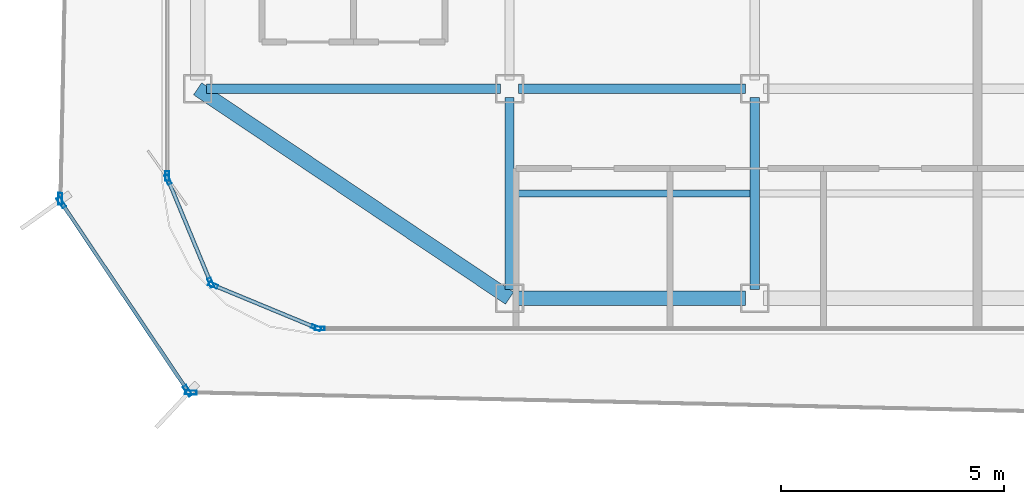
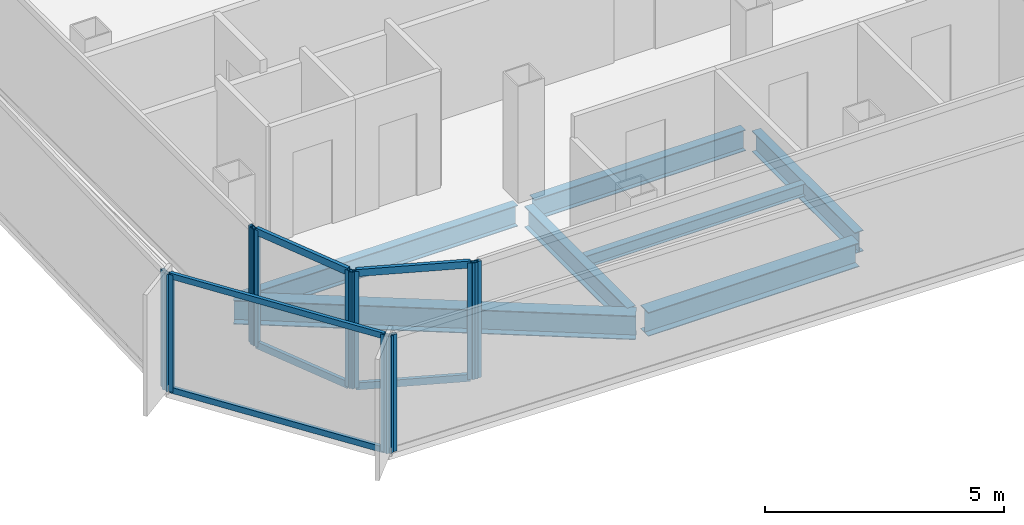
# One storey, part 2 of 15: 16 members, 7 beams, 7 elements without a shape of their own.
"""IFC4 building model written with IfcOpenShell, lengths in metres."""

from ifc_helpers import new_model, si_unit, direction, frame, origin, origin_2d, place, context, subcontext, project, spatial, hollow_rectangle, i_section, extrude, source, transform, mapped, material, layer, layer_set, material_profile, profile_set, type_object, element, aggregate, save


model = new_model("IFC4")

# Units and contexts
model_context = context("Model", 3, precision=1e-05, world=origin(), true_north=direction((0.0, 1.0)))
body_context = subcontext(model_context, "Body", "Model", "MODEL_VIEW")
ifc_project = project(units=[si_unit("LENGTHUNIT", "METRE"), si_unit("AREAUNIT", "SQUARE_METRE"), si_unit("VOLUMEUNIT", "CUBIC_METRE"), si_unit("PLANEANGLEUNIT", "RADIAN"), si_unit("MASSUNIT", "GRAM", prefix="KILO")], contexts=[model_context])

# Site, building, storey
site_placement = place(None, origin())
site = spatial("IfcSite", under=ifc_project, at=site_placement, CompositionType="ELEMENT")
building_placement = place(site_placement, origin())
building = spatial("IfcBuilding", under=site, at=building_placement, Name="Kolveth Station Tower", CompositionType="ELEMENT")
storey_placement = place(building_placement, frame((0.0, 0.0, 239.300048828125)))
storey = spatial("IfcBuildingStorey", under=building, at=storey_placement, Name="L68", CompositionType="ELEMENT", Elevation=239.300048828125)

# Beams
ifc_material_1 = material(Name="Steel S355", Category="steel")
ifc_material_profile_1 = material_profile(ifc_material_1, i_section(OverallWidth=0.323974609375, OverallDepth=0.611083984375, WebThickness=0.0126953125, FlangeThickness=0.01904296875, at=origin_2d()), Name="W610x155")
ifc_profile_set_1 = profile_set([ifc_material_profile_1], Name="Steel S355")
beam_type_1 = type_object("IfcBeamType", Name="Beam_SP2", PredefinedType="SPANDREL", material=ifc_profile_set_1)
shared_shape_1 = source(origin(), body_context, "Body", "SweptSolid", [
    extrude(i_section(OverallWidth=0.323974609375, OverallDepth=0.611083984375, WebThickness=0.0126953125, FlangeThickness=0.01904296875, at=origin_2d()), origin(), (0.0, 0.0, 1.0), 8.431396484375),
])
beam_1_placement = place(storey_placement, frame((6.0, 5.5, -0.525634765625), z_axis=(0.830223811004, -0.557430196206, 0.0), x_axis=(0.557430196206, 0.830223811004, 0.0)))
element("IfcBeam", 1, at=beam_1_placement, inside=storey, type_object=beam_type_1, Name="L68 Corner Edge Girder BM-L68-CNR-SW", PredefinedType="SPANDREL", context=body_context, shape_type="MappedRepresentation", body=[
    mapped(shared_shape_1, transform((0.0, 0.0, 0.0), x_axis=(1.0, 0.0, 0.0), y_axis=(0.0, 1.0, 0.0), z_axis=(0.0, 0.0, 1.0), scale=1.0)),
])
shared_shape_2 = source(origin(), body_context, "Body", "SweptSolid", [
    extrude(i_section(OverallWidth=0.323974609375, OverallDepth=0.611083984375, WebThickness=0.0126953125, FlangeThickness=0.01904296875, at=origin_2d()), origin(), (0.0, 0.0, 1.0), 5.10009765625),
])
beam_2_placement = place(storey_placement, frame((13.199951171875, 0.800048828125, -0.525634765625), z_axis=(1.0, 0.0, 0.0), x_axis=(0.0, 1.0, 0.0)))
element("IfcBeam", 2, at=beam_2_placement, inside=storey, type_object=beam_type_1, Name="L68 Perimeter Spandrel BM-L68-PS-1", PredefinedType="SPANDREL", context=body_context, shape_type="MappedRepresentation", body=[
    mapped(shared_shape_2, transform((0.0, 0.0, 0.0), x_axis=(1.0, 0.0, 0.0), y_axis=(0.0, 1.0, 0.0), z_axis=(0.0, 0.0, 1.0), scale=1.0)),
])
ifc_material_profile_2 = material_profile(ifc_material_1, i_section(OverallWidth=0.2099609375, OverallDepth=0.537109375, WebThickness=0.010986328125, FlangeThickness=0.017333984375, at=origin_2d()), Name="W530x101")
ifc_profile_set_2 = profile_set([ifc_material_profile_2], Name="Steel S355")
beam_type_2 = type_object("IfcBeamType", Name="Beam_B6", PredefinedType="BEAM", material=ifc_profile_set_2)
shared_shape_3 = source(origin(), body_context, "Body", "SweptSolid", [
    extrude(i_section(OverallWidth=0.2099609375, OverallDepth=0.537109375, WebThickness=0.010986328125, FlangeThickness=0.017333984375, at=origin_2d()), origin(), (0.0, 0.0, 1.0), 6.60009765625),
])
beam_3_placement = place(storey_placement, frame((6.199951171875, 5.5, -0.488525390625), z_axis=(1.0, 0.0, 0.0), x_axis=(0.0, 1.0, 0.0)))
element("IfcBeam", 3, at=beam_3_placement, inside=storey, type_object=beam_type_2, Name="L68 Primary Girder BM-L68-GY55-1", PredefinedType="BEAM", context=body_context, shape_type="MappedRepresentation", body=[
    mapped(shared_shape_3, transform((0.0, 0.0, 0.0), x_axis=(1.0, 0.0, 0.0), y_axis=(0.0, 1.0, 0.0), z_axis=(0.0, 0.0, 1.0), scale=1.0)),
])
shared_shape_4 = source(origin(), body_context, "Body", "SweptSolid", [
    extrude(i_section(OverallWidth=0.2099609375, OverallDepth=0.537109375, WebThickness=0.010986328125, FlangeThickness=0.017333984375, at=origin_2d()), origin(), (0.0, 0.0, 1.0), 5.10009765625),
])
beam_4_placement = place(storey_placement, frame((13.199951171875, 5.5, -0.488525390625), z_axis=(1.0, 0.0, 0.0), x_axis=(0.0, 1.0, 0.0)))
element("IfcBeam", 4, at=beam_4_placement, inside=storey, type_object=beam_type_2, Name="L68 Primary Girder BM-L68-GY55-2", PredefinedType="BEAM", context=body_context, shape_type="MappedRepresentation", body=[
    mapped(shared_shape_4, transform((0.0, 0.0, 0.0), x_axis=(1.0, 0.0, 0.0), y_axis=(0.0, 1.0, 0.0), z_axis=(0.0, 0.0, 1.0), scale=1.0)),
])
shared_shape_5 = source(origin(), body_context, "Body", "SweptSolid", [
    extrude(i_section(OverallWidth=0.2099609375, OverallDepth=0.537109375, WebThickness=0.010986328125, FlangeThickness=0.017333984375, at=origin_2d()), origin(), (0.0, 0.0, 1.0), 4.300048828125),
])
for number, where, z_axis, x_axis, name in (
    (5, (13.0, 1.0, -0.488525390625), (0.0, 1.0, 0.0), (-1.0, 0.0, 0.0), "L68 Primary Girder BM-L68-GX130-1"),
    (6, (18.5, 1.0, -0.488525390625), (0.0, 1.0, 0.0), (-1.0, 0.0, 0.0), "L68 Primary Girder BM-L68-GX185-1"),
):
    element("IfcBeam", number, at=place(storey_placement, frame(where, z_axis=z_axis, x_axis=x_axis)), inside=storey, type_object=beam_type_2, Name=name, PredefinedType="BEAM", context=body_context, shape_type="MappedRepresentation", body=[
        mapped(shared_shape_5, transform((0.0, 0.0, 0.0), x_axis=(1.0, 0.0, 0.0), y_axis=(0.0, 1.0, 0.0), z_axis=(0.0, 0.0, 1.0), scale=1.0)),
    ])
ifc_material_profile_3 = material_profile(ifc_material_1, i_section(OverallWidth=0.1650390625, OverallDepth=0.31005859375, WebThickness=0.005859375, FlangeThickness=0.009765625, at=origin_2d()), Name="W310x39")
ifc_profile_set_3 = profile_set([ifc_material_profile_3], Name="Steel S355")
beam_type_3 = type_object("IfcBeamType", Name="Beam_J3", PredefinedType="JOIST", material=ifc_profile_set_3)
shared_shape_6 = source(origin(), body_context, "Body", "SweptSolid", [
    extrude(i_section(OverallWidth=0.1650390625, OverallDepth=0.31005859375, WebThickness=0.005859375, FlangeThickness=0.009765625, at=origin_2d()), origin(), (0.0, 0.0, 1.0), 5.2939453125),
])
beam_5_placement = place(storey_placement, frame((13.10302734375, 3.14990234375, -0.375), z_axis=(1.0, 0.0, 0.0), x_axis=(0.0, 1.0, 0.0)))
element("IfcBeam", 7, at=beam_5_placement, inside=storey, type_object=beam_type_3, Name="L68 Secondary Joist JST-L68-2-1", PredefinedType="JOIST", context=body_context, shape_type="MappedRepresentation", body=[
    mapped(shared_shape_6, transform((0.0, 0.0, 0.0), x_axis=(1.0, 0.0, 0.0), y_axis=(0.0, 1.0, 0.0), z_axis=(0.0, 0.0, 1.0), scale=1.0)),
])

# Curtain wall, member
ifc_material_2 = material(Name="Black anodized aluminium 6063-T6 and dark solar glass", Category="aluminium")
ifc_layer_1 = layer(ifc_material_2, 0.159912109375)
ifc_layer_set_1 = layer_set([ifc_layer_1], Name="Black anodized aluminium 6063-T6 and dark solar glass")
curtain_wall_type_1 = type_object("IfcCurtainWallType", Name="OUTER SKIN CW-OS", PredefinedType="NOTDEFINED", material=ifc_layer_set_1)
curtain_wall_1_placement = place(storey_placement, origin())
curtain_wall_1 = element("IfcCurtainWall", 8, at=curtain_wall_1_placement, inside=storey, type_object=curtain_wall_type_1, Name="L68 Outer Ventilated Skin Curtain Wall 6", PredefinedType="NOTDEFINED")
ifc_material_3 = material(Name="Black anodized aluminium 6063-T6", Category="aluminium")
ifc_material_profile_4 = material_profile(ifc_material_3, hollow_rectangle(XDim=0.090087890625, YDim=0.260009765625, WallThickness=0.0048828125, at=origin_2d()), Name="ALU-90x260x5")
ifc_profile_set_4 = profile_set([ifc_material_profile_4], Name="Black anodized aluminium 6063-T6")
member_type_1 = type_object("IfcMemberType", Name="FIN MULLION ML-OS", PredefinedType="MULLION", material=ifc_profile_set_4)
shared_shape_7 = source(origin(), body_context, "Body", "SweptSolid", [
    extrude(hollow_rectangle(XDim=0.090087890625, YDim=0.260009765625, WallThickness=0.0048828125, at=origin_2d()), origin(), (0.0, 0.0, 1.0), 2.989990234375),
])
member_1_placement = place(storey_placement, frame((2.917724609375, 3.031494140625, 0.0), z_axis=(0.0, 0.0, 1.0), x_axis=(0.99979600163, -0.020197899021, 0.0)))
member_1 = element("IfcMember", 9, at=member_1_placement, type_object=member_type_1, Name="CW-OS mullion 2", PredefinedType="MULLION", context=body_context, shape_type="MappedRepresentation", body=[
    mapped(shared_shape_7, transform((0.0, 0.0, 0.0), x_axis=(1.0, 0.0, 0.0), y_axis=(0.0, 1.0, 0.0), z_axis=(0.0, 0.0, 1.0), scale=1.0)),
])
aggregate(curtain_wall_1, [member_1])

# Curtain wall, members
curtain_wall_2_placement = place(storey_placement, origin())
curtain_wall_2 = element("IfcCurtainWall", 10, at=curtain_wall_2_placement, inside=storey, type_object=curtain_wall_type_1, Name="L68 Outer Ventilated Skin Curtain Wall 7", PredefinedType="NOTDEFINED")
member_2_placement = place(storey_placement, frame((2.94189453125, 2.94921875, 0.0), z_axis=(0.0, 0.0, 1.0), x_axis=(0.830458050459, 0.557081166821, 0.0)))
member_2 = element("IfcMember", 11, at=member_2_placement, type_object=member_type_1, Name="CW-OS mullion 1", PredefinedType="MULLION", context=body_context, shape_type="MappedRepresentation", body=[
    mapped(shared_shape_7, transform((0.0, 0.0, 0.0), x_axis=(1.0, 0.0, 0.0), y_axis=(0.0, 1.0, 0.0), z_axis=(0.0, 0.0, 1.0), scale=1.0)),
])
member_3_placement = place(storey_placement, frame((5.777587890625, -1.278076171875, 0.0), z_axis=(0.0, 0.0, 1.0), x_axis=(0.830458050459, 0.557081166821, 0.0)))
member_3 = element("IfcMember", 12, at=member_3_placement, type_object=member_type_1, Name="CW-OS mullion 2", PredefinedType="MULLION", context=body_context, shape_type="MappedRepresentation", body=[
    mapped(shared_shape_7, transform((0.0, 0.0, 0.0), x_axis=(1.0, 0.0, 0.0), y_axis=(0.0, 1.0, 0.0), z_axis=(0.0, 0.0, 1.0), scale=1.0)),
])

# Curtain wall, member
curtain_wall_3_placement = place(storey_placement, origin())
curtain_wall_3 = element("IfcCurtainWall", 13, at=curtain_wall_3_placement, inside=storey, type_object=curtain_wall_type_1, Name="L68 Outer Ventilated Skin Curtain Wall 8", PredefinedType="NOTDEFINED")
member_4_placement = place(storey_placement, frame((5.84765625, -1.31640625, 0.0), z_axis=(0.0, 0.0, 1.0), x_axis=(0.022314855906, 0.999750992601, 0.0)))
member_4 = element("IfcMember", 14, at=member_4_placement, type_object=member_type_1, Name="CW-OS mullion 1", PredefinedType="MULLION", context=body_context, shape_type="MappedRepresentation", body=[
    mapped(shared_shape_7, transform((0.0, 0.0, 0.0), x_axis=(1.0, 0.0, 0.0), y_axis=(0.0, 1.0, 0.0), z_axis=(0.0, 0.0, 1.0), scale=1.0)),
])
aggregate(curtain_wall_3, [member_4])

ifc_material_4 = material(Name="Aluminium 6063-T6 and triple low-E dark glass", Category="aluminium")
ifc_layer_2 = layer(ifc_material_4, 0.199951171875)
ifc_layer_set_2 = layer_set([ifc_layer_2], Name="Aluminium 6063-T6 and triple low-E dark glass")
curtain_wall_type_2 = type_object("IfcCurtainWallType", Name="CurtainWall_CW-Z3", PredefinedType="NOTDEFINED", material=ifc_layer_set_2)
curtain_wall_4_placement = place(storey_placement, origin())
curtain_wall_4 = element("IfcCurtainWall", 15, at=curtain_wall_4_placement, inside=storey, type_object=curtain_wall_type_2, Name="L68 Inner Thermal Curtain Wall 9", PredefinedType="NOTDEFINED")
ifc_material_profile_5 = material_profile(ifc_material_3, hollow_rectangle(XDim=0.0849609375, YDim=0.215087890625, WallThickness=0.0048828125, at=origin_2d()), Name="ALU-85x215x5")
ifc_profile_set_5 = profile_set([ifc_material_profile_5], Name="Black anodized aluminium 6063-T6")
member_type_2 = type_object("IfcMemberType", Name="Mullion_ML3", PredefinedType="MULLION", material=ifc_profile_set_5)
shared_shape_8 = source(origin(), body_context, "Body", "SweptSolid", [
    extrude(hollow_rectangle(XDim=0.0849609375, YDim=0.215087890625, WallThickness=0.0048828125, at=origin_2d()), origin(), (0.0, 0.0, 1.0), 2.97998046875),
])
member_5_placement = place(storey_placement, frame((5.320068359375, 3.54248046875, 0.0), z_axis=(0.0, 0.0, 1.0), x_axis=(1.0, 0.0, 0.0)))
member_5 = element("IfcMember", 16, at=member_5_placement, type_object=member_type_2, Name="CW-Z3 mullion 2", PredefinedType="MULLION", context=body_context, shape_type="MappedRepresentation", body=[
    mapped(shared_shape_8, transform((0.0, 0.0, 0.0), x_axis=(1.0, 0.0, 0.0), y_axis=(0.0, 1.0, 0.0), z_axis=(0.0, 0.0, 1.0), scale=1.0)),
])
aggregate(curtain_wall_4, [member_5])

# Curtain wall, members
curtain_wall_5_placement = place(storey_placement, origin())
curtain_wall_5 = element("IfcCurtainWall", 17, at=curtain_wall_5_placement, inside=storey, type_object=curtain_wall_type_2, Name="L68 Inner Thermal Curtain Wall 10", PredefinedType="NOTDEFINED")
member_6_placement = place(storey_placement, frame((5.336181640625, 3.460693359375, 0.0), z_axis=(0.0, 0.0, 1.0), x_axis=(0.923875488975, 0.382693194181, 0.0)))
member_6 = element("IfcMember", 18, at=member_6_placement, type_object=member_type_2, Name="CW-Z3 mullion 1", PredefinedType="MULLION", context=body_context, shape_type="MappedRepresentation", body=[
    mapped(shared_shape_8, transform((0.0, 0.0, 0.0), x_axis=(1.0, 0.0, 0.0), y_axis=(0.0, 1.0, 0.0), z_axis=(0.0, 0.0, 1.0), scale=1.0)),
])
member_7_placement = place(storey_placement, frame((6.293701171875, 1.149169921875, 0.0), z_axis=(0.0, 0.0, 1.0), x_axis=(0.923875488975, 0.382693194181, 0.0)))
member_7 = element("IfcMember", 19, at=member_7_placement, type_object=member_type_2, Name="CW-Z3 mullion 2", PredefinedType="MULLION", context=body_context, shape_type="MappedRepresentation", body=[
    mapped(shared_shape_8, transform((0.0, 0.0, 0.0), x_axis=(1.0, 0.0, 0.0), y_axis=(0.0, 1.0, 0.0), z_axis=(0.0, 0.0, 1.0), scale=1.0)),
])

curtain_wall_6_placement = place(storey_placement, origin())
curtain_wall_6 = element("IfcCurtainWall", 20, at=curtain_wall_6_placement, inside=storey, type_object=curtain_wall_type_2, Name="L68 Inner Thermal Curtain Wall 11", PredefinedType="NOTDEFINED")
member_8_placement = place(storey_placement, frame((6.349365234375, 1.09375, 0.0), z_axis=(0.0, 0.0, 1.0), x_axis=(0.382693194181, 0.923875488975, 0.0)))
member_8 = element("IfcMember", 21, at=member_8_placement, type_object=member_type_2, Name="CW-Z3 mullion 1", PredefinedType="MULLION", context=body_context, shape_type="MappedRepresentation", body=[
    mapped(shared_shape_8, transform((0.0, 0.0, 0.0), x_axis=(1.0, 0.0, 0.0), y_axis=(0.0, 1.0, 0.0), z_axis=(0.0, 0.0, 1.0), scale=1.0)),
])
member_9_placement = place(storey_placement, frame((8.66064453125, 0.13623046875, 0.0), z_axis=(0.0, 0.0, 1.0), x_axis=(0.382693194181, 0.923875488975, 0.0)))
member_9 = element("IfcMember", 22, at=member_9_placement, type_object=member_type_2, Name="CW-Z3 mullion 2", PredefinedType="MULLION", context=body_context, shape_type="MappedRepresentation", body=[
    mapped(shared_shape_8, transform((0.0, 0.0, 0.0), x_axis=(1.0, 0.0, 0.0), y_axis=(0.0, 1.0, 0.0), z_axis=(0.0, 0.0, 1.0), scale=1.0)),
])

# Curtain wall, member
curtain_wall_7_placement = place(storey_placement, origin())
curtain_wall_7 = element("IfcCurtainWall", 23, at=curtain_wall_7_placement, inside=storey, type_object=curtain_wall_type_2, Name="L68 Inner Thermal Curtain Wall 12", PredefinedType="NOTDEFINED")
member_10_placement = place(storey_placement, frame((8.742431640625, 0.1201171875, 0.0), z_axis=(0.0, 0.0, 1.0), x_axis=(0.0, 1.0, 0.0)))
member_10 = element("IfcMember", 24, at=member_10_placement, type_object=member_type_2, Name="CW-Z3 mullion 1", PredefinedType="MULLION", context=body_context, shape_type="MappedRepresentation", body=[
    mapped(shared_shape_8, transform((0.0, 0.0, 0.0), x_axis=(1.0, 0.0, 0.0), y_axis=(0.0, 1.0, 0.0), z_axis=(0.0, 0.0, 1.0), scale=1.0)),
])
aggregate(curtain_wall_7, [member_10])

# Member
ifc_material_profile_6 = material_profile(ifc_material_3, hollow_rectangle(XDim=0.0849609375, YDim=0.179931640625, WallThickness=0.0048828125, at=origin_2d()), Name="ALU-85x180x5")
ifc_profile_set_6 = profile_set([ifc_material_profile_6], Name="Black anodized aluminium 6063-T6")
member_type_3 = type_object("IfcMemberType", Name="Transom_TR3", PredefinedType="USERDEFINED", material=ifc_profile_set_6)
shared_shape_9 = source(origin(), body_context, "Body", "SweptSolid", [
    extrude(hollow_rectangle(XDim=0.0849609375, YDim=0.179931640625, WallThickness=0.0048828125, at=origin_2d()), origin(), (0.0, 0.0, 1.0), 2.4169921875),
])
member_11_placement = place(storey_placement, frame((5.3525390625, 3.42138671875, 0.04248046875), z_axis=(0.382735401206, -0.9238580046, 0.0), x_axis=(0.9238580046, 0.382735401206, 0.0)))
member_11 = element("IfcMember", 25, at=member_11_placement, type_object=member_type_3, Name="CW-Z3 transom 1.1", ObjectType="TRANSOM", PredefinedType="USERDEFINED", context=body_context, shape_type="MappedRepresentation", body=[
    mapped(shared_shape_9, transform((0.0, 0.0, 0.0), x_axis=(1.0, 0.0, 0.0), y_axis=(0.0, 1.0, 0.0), z_axis=(0.0, 0.0, 1.0), scale=1.0)),
])

member_12_placement = place(storey_placement, frame((5.3525390625, 3.42138671875, 2.9375), z_axis=(0.382735401206, -0.9238580046, 0.0), x_axis=(0.9238580046, 0.382735401206, 0.0)))
member_12 = element("IfcMember", 26, at=member_12_placement, type_object=member_type_3, Name="CW-Z3 transom 1.2", ObjectType="TRANSOM", PredefinedType="USERDEFINED", context=body_context, shape_type="MappedRepresentation", body=[
    mapped(shared_shape_9, transform((0.0, 0.0, 0.0), x_axis=(1.0, 0.0, 0.0), y_axis=(0.0, 1.0, 0.0), z_axis=(0.0, 0.0, 1.0), scale=1.0)),
])

aggregate(curtain_wall_5, [member_6, member_7, member_11, member_12])

member_13_placement = place(storey_placement, frame((6.388427734375, 1.077392578125, 0.04248046875), z_axis=(0.923908507952, -0.382613471971, 0.0), x_axis=(0.382613471971, 0.923908507952, 0.0)))
member_13 = element("IfcMember", 27, at=member_13_placement, type_object=member_type_3, Name="CW-Z3 transom 1.1", ObjectType="TRANSOM", PredefinedType="USERDEFINED", context=body_context, shape_type="MappedRepresentation", body=[
    mapped(shared_shape_9, transform((0.0, 0.0, 0.0), x_axis=(1.0, 0.0, 0.0), y_axis=(0.0, 1.0, 0.0), z_axis=(0.0, 0.0, 1.0), scale=1.0)),
])

member_14_placement = place(storey_placement, frame((6.388427734375, 1.077392578125, 2.9375), z_axis=(0.923908507952, -0.382613471971, 0.0), x_axis=(0.382613471971, 0.923908507952, 0.0)))
member_14 = element("IfcMember", 28, at=member_14_placement, type_object=member_type_3, Name="CW-Z3 transom 1.2", ObjectType="TRANSOM", PredefinedType="USERDEFINED", context=body_context, shape_type="MappedRepresentation", body=[
    mapped(shared_shape_9, transform((0.0, 0.0, 0.0), x_axis=(1.0, 0.0, 0.0), y_axis=(0.0, 1.0, 0.0), z_axis=(0.0, 0.0, 1.0), scale=1.0)),
])

aggregate(curtain_wall_6, [member_8, member_9, member_13, member_14])

ifc_material_profile_7 = material_profile(ifc_material_3, hollow_rectangle(XDim=0.080078125, YDim=0.14990234375, WallThickness=0.0048828125, at=origin_2d()), Name="ALU-80x150x5")
ifc_profile_set_7 = profile_set([ifc_material_profile_7], Name="Black anodized aluminium 6063-T6")
member_type_4 = type_object("IfcMemberType", Name="Transom_TR-OS", PredefinedType="USERDEFINED", material=ifc_profile_set_7)
shared_shape_10 = source(origin(), body_context, "Body", "SweptSolid", [
    extrude(hollow_rectangle(XDim=0.080078125, YDim=0.14990234375, WallThickness=0.0048828125, at=origin_2d()), origin(), (0.0, 0.0, 1.0), 5.000244140625),
])
member_15_placement = place(storey_placement, frame((2.967041015625, 2.911865234375, 0.0400390625), z_axis=(0.557052877613, -0.830477026499, 0.0), x_axis=(0.830477026499, 0.557052877613, 0.0)))
member_15 = element("IfcMember", 29, at=member_15_placement, type_object=member_type_4, Name="CW-OS transom 1.1", ObjectType="TRANSOM", PredefinedType="USERDEFINED", context=body_context, shape_type="MappedRepresentation", body=[
    mapped(shared_shape_10, transform((0.0, 0.0, 0.0), x_axis=(1.0, 0.0, 0.0), y_axis=(0.0, 1.0, 0.0), z_axis=(0.0, 0.0, 1.0), scale=1.0)),
])

member_16_placement = place(storey_placement, frame((2.967041015625, 2.911865234375, 2.949951171875), z_axis=(0.557052877613, -0.830477026499, 0.0), x_axis=(0.830477026499, 0.557052877613, 0.0)))
member_16 = element("IfcMember", 30, at=member_16_placement, type_object=member_type_4, Name="CW-OS transom 1.2", ObjectType="TRANSOM", PredefinedType="USERDEFINED", context=body_context, shape_type="MappedRepresentation", body=[
    mapped(shared_shape_10, transform((0.0, 0.0, 0.0), x_axis=(1.0, 0.0, 0.0), y_axis=(0.0, 1.0, 0.0), z_axis=(0.0, 0.0, 1.0), scale=1.0)),
])

aggregate(curtain_wall_2, [member_2, member_3, member_15, member_16])

save(model, "model.ifc")
